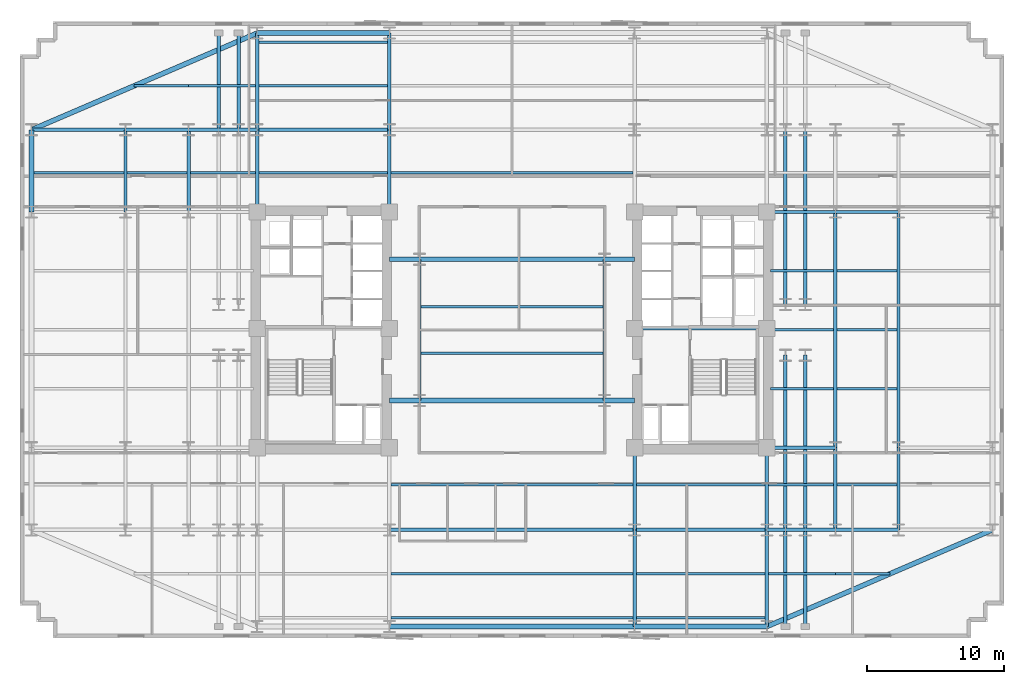
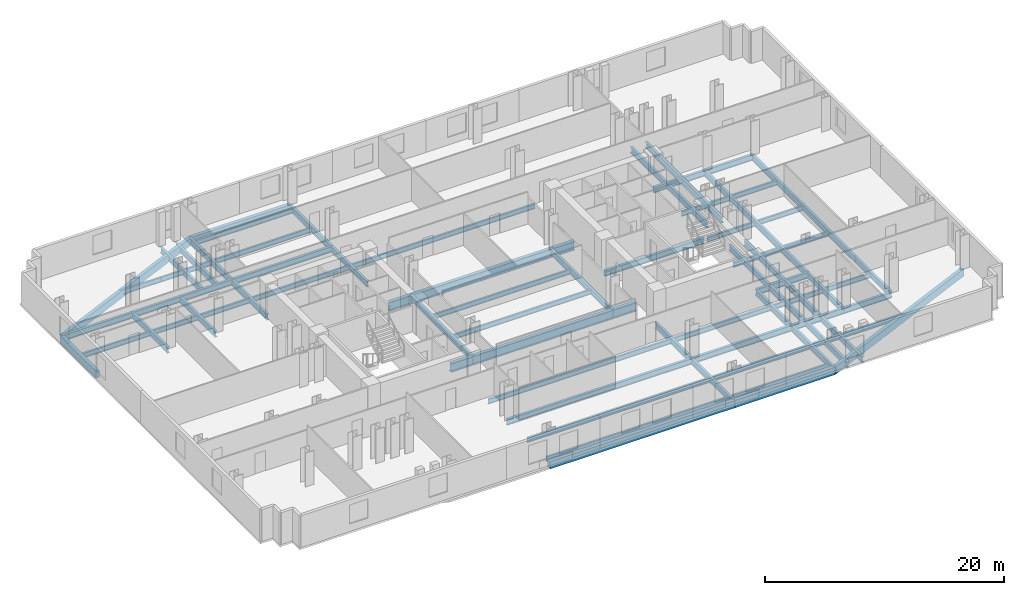
# One storey, part 2 of 10: 75 beams.
"""IFC4 building model written with IfcOpenShell, lengths in metres."""

from ifc_helpers import new_model, si_unit, direction, frame, origin, origin_2d, place, context, subcontext, project, spatial, rectangle, i_section, extrude, material, material_profile, profile_set, type_object, element, save


model = new_model("IFC4")

# Units and contexts
model_context = context("Model", 3, precision=1e-05, world=origin(), true_north=direction((0.0, 1.0)))
body_context = subcontext(model_context, "Body", "Model", "MODEL_VIEW")
ifc_project = project(units=[si_unit("LENGTHUNIT", "METRE"), si_unit("AREAUNIT", "SQUARE_METRE"), si_unit("VOLUMEUNIT", "CUBIC_METRE"), si_unit("PLANEANGLEUNIT", "RADIAN"), si_unit("MASSUNIT", "GRAM", prefix="KILO")], contexts=[model_context])

# Site, building, storey
site_placement = place(None, origin())
site = spatial("IfcSite", under=ifc_project, at=site_placement, CompositionType="ELEMENT")
building_placement = place(site_placement, origin())
building = spatial("IfcBuilding", under=site, at=building_placement, Name="Velakula Bourse", CompositionType="ELEMENT")
storey_placement = place(building_placement, frame((0.0, 0.0, 55.35009765625)))
storey = spatial("IfcBuildingStorey", under=building, at=storey_placement, Name="L14", CompositionType="ELEMENT", Elevation=55.35009765625)

# Beams
ifc_material_1 = material(Name="Steel IS 2062 Grade 350 (E350)", Category="steel")
ifc_material_profile_1 = material_profile(ifc_material_1, i_section(OverallWidth=0.25, OverallDepth=0.60009765625, WebThickness=0.01171875, FlangeThickness=0.023681640625, at=origin_2d()), Name="Steel IS 2062 Grade 350 (E350)")
ifc_profile_set_1 = profile_set([ifc_material_profile_1], Name="Steel IS 2062 Grade 350 (E350)")
beam_type_1 = type_object("IfcBeamType", Name="BM-GRD-600H", PredefinedType="BEAM", material=ifc_profile_set_1)
beam_1_placement = place(storey_placement, frame((8.949951171875, 0.10009765625, -0.47998046875), z_axis=(1.0, 0.0, 0.0), x_axis=(0.0, 1.0, 0.0)))
element("IfcBeam", 1, at=beam_1_placement, inside=storey, type_object=beam_type_1, Name="L14 Primary Backbone Girder CRE-M", PredefinedType="BEAM", context=body_context, shape_type="SweptSolid", body=[
    extrude(i_section(OverallWidth=0.25, OverallDepth=0.60009765625, WebThickness=0.01171875, FlangeThickness=0.023681640625, at=origin_2d()), origin(), (0.0, 0.0, 1.0), 9.650146484375),
])
for number, where, z_axis, x_axis, name in (
    (2, (-6.75, -5.14990234375, -0.47998046875), (0.0, 1.0, 0.0), (-1.0, 0.0, 0.0), "L14 Primary Backbone Girder SPN-W"),
    (3, (6.75, -5.14990234375, -0.47998046875), (0.0, 1.0, 0.0), (-1.0, 0.0, 0.0), "L14 Primary Backbone Girder SPN-E"),
):
    element("IfcBeam", number, at=place(storey_placement, frame(where, z_axis=z_axis, x_axis=x_axis)), inside=storey, type_object=beam_type_1, Name=name, PredefinedType="BEAM", context=body_context, shape_type="SweptSolid", body=[
        extrude(i_section(OverallWidth=0.25, OverallDepth=0.60009765625, WebThickness=0.01171875, FlangeThickness=0.023681640625, at=origin_2d()), origin(), (0.0, 0.0, 1.0), 10.2998046875),
    ])
for number, where, z_axis, x_axis, name in (
    (4, (-18.60009765625, 8.60009765625, -0.47998046875), (0.0, 1.0, 0.0), (-1.0, 0.0, 0.0), "L14 Fulcrum Grid Girder FLC-WN"),
    (5, (-8.949951171875, 8.60009765625, -0.47998046875), (0.0, 1.0, 0.0), (-1.0, 0.0, 0.0), "L14 Fulcrum Grid Girder FLC-WCN"),
    (6, (8.949951171875, -14.60009765625, -0.47998046875), (0.0, 1.0, 0.0), (-1.0, 0.0, 0.0), "L14 Fulcrum Grid Girder FLC-ECS"),
    (7, (18.60009765625, -14.60009765625, -0.47998046875), (0.0, 1.0, 0.0), (-1.0, 0.0, 0.0), "L14 Fulcrum Grid Girder FLC-ES"),
):
    element("IfcBeam", number, at=place(storey_placement, frame(where, z_axis=z_axis, x_axis=x_axis)), inside=storey, type_object=beam_type_1, Name=name, PredefinedType="BEAM", context=body_context, shape_type="SweptSolid", body=[
        extrude(i_section(OverallWidth=0.25, OverallDepth=0.60009765625, WebThickness=0.01171875, FlangeThickness=0.023681640625, at=origin_2d()), origin(), (0.0, 0.0, 1.0), 6.0),
    ])
beam_2_placement = place(storey_placement, frame((-8.949951171875, -14.60009765625, -0.47998046875), z_axis=(1.0, 0.0, 0.0), x_axis=(0.0, 1.0, 0.0)))
element("IfcBeam", 8, at=beam_2_placement, inside=storey, type_object=beam_type_1, Name="L14 Fulcrum Grid Girder FLC-S2", PredefinedType="BEAM", context=body_context, shape_type="SweptSolid", body=[
    extrude(i_section(OverallWidth=0.25, OverallDepth=0.60009765625, WebThickness=0.01171875, FlangeThickness=0.023681640625, at=origin_2d()), origin(), (0.0, 0.0, 1.0), 17.89990234375),
])
for number, where, z_axis, x_axis, name in (
    (9, (8.949951171875, -14.60009765625, -0.47998046875), (1.0, 0.0, 0.0), (0.0, 1.0, 0.0), "L14 Fulcrum Grid Girder FLC-S3"),
    (10, (-18.60009765625, 14.60009765625, -0.47998046875), (1.0, 0.0, 0.0), (0.0, 1.0, 0.0), "L14 Fulcrum Grid Girder FLC-N1"),
):
    element("IfcBeam", number, at=place(storey_placement, frame(where, z_axis=z_axis, x_axis=x_axis)), inside=storey, type_object=beam_type_1, Name=name, PredefinedType="BEAM", context=body_context, shape_type="SweptSolid", body=[
        extrude(i_section(OverallWidth=0.25, OverallDepth=0.60009765625, WebThickness=0.01171875, FlangeThickness=0.023681640625, at=origin_2d()), origin(), (0.0, 0.0, 1.0), 9.650146484375),
    ])
for number, where, z_axis, x_axis, name in (
    (11, (19.949951171875, -14.60009765625, -0.47998046875), (0.0, 1.0, 0.0), (-1.0, 0.0, 0.0), "L14 Fulcrum Grid Girder FLC-PSE1"),
    (12, (19.949951171875, 1.85009765625, -0.47998046875), (0.0, 1.0, 0.0), (-1.0, 0.0, 0.0), "L14 Fulcrum Grid Girder FLC-PNE1"),
    (13, (21.39990234375, -14.60009765625, -0.47998046875), (0.0, 1.0, 0.0), (-1.0, 0.0, 0.0), "L14 Fulcrum Grid Girder FLC-PSE2"),
    (14, (21.39990234375, 1.85009765625, -0.47998046875), (0.0, 1.0, 0.0), (-1.0, 0.0, 0.0), "L14 Fulcrum Grid Girder FLC-PNE2"),
):
    element("IfcBeam", number, at=place(storey_placement, frame(where, z_axis=z_axis, x_axis=x_axis)), inside=storey, type_object=beam_type_1, Name=name, PredefinedType="BEAM", context=body_context, shape_type="SweptSolid", body=[
        extrude(i_section(OverallWidth=0.25, OverallDepth=0.60009765625, WebThickness=0.01171875, FlangeThickness=0.023681640625, at=origin_2d()), origin(), (0.0, 0.0, 1.0), 12.75),
    ])
beam_3_placement = place(storey_placement, frame((-23.60009765625, 14.60009765625, -0.47998046875), z_axis=(1.0, 0.0, 0.0), x_axis=(0.0, 1.0, 0.0)))
element("IfcBeam", 15, at=beam_3_placement, inside=storey, type_object=beam_type_1, Name="L14 Fulcrum Grid Girder MWG-WN2", PredefinedType="BEAM", context=body_context, shape_type="SweptSolid", body=[
    extrude(i_section(OverallWidth=0.25, OverallDepth=0.60009765625, WebThickness=0.01171875, FlangeThickness=0.023681640625, at=origin_2d()), origin(), (0.0, 0.0, 1.0), 5.0),
])
beam_4_placement = place(storey_placement, frame((-23.60009765625, 8.60009765625, -0.47998046875), z_axis=(0.0, 1.0, 0.0), x_axis=(-1.0, 0.0, 0.0)))
element("IfcBeam", 16, at=beam_4_placement, inside=storey, type_object=beam_type_1, Name="L14 Fulcrum Grid Girder MWG-WNS3", PredefinedType="BEAM", context=body_context, shape_type="SweptSolid", body=[
    extrude(i_section(OverallWidth=0.25, OverallDepth=0.60009765625, WebThickness=0.01171875, FlangeThickness=0.023681640625, at=origin_2d()), origin(), (0.0, 0.0, 1.0), 6.0),
])
for number, where, z_axis, x_axis, name in (
    (17, (18.60009765625, -14.60009765625, -0.47998046875), (1.0, 0.0, 0.0), (0.0, 1.0, 0.0), "L14 Fulcrum Grid Girder MWG-ES1"),
    (18, (18.60009765625, -8.60009765625, -0.47998046875), (1.0, 0.0, 0.0), (0.0, 1.0, 0.0), "L14 Fulcrum Grid Girder MWG-ES2"),
    (19, (18.60009765625, 8.60009765625, -0.47998046875), (1.0, 0.0, 0.0), (0.0, 1.0, 0.0), "L14 Fulcrum Grid Girder MWG-EN1"),
):
    element("IfcBeam", number, at=place(storey_placement, frame(where, z_axis=z_axis, x_axis=x_axis)), inside=storey, type_object=beam_type_1, Name=name, PredefinedType="BEAM", context=body_context, shape_type="SweptSolid", body=[
        extrude(i_section(OverallWidth=0.25, OverallDepth=0.60009765625, WebThickness=0.01171875, FlangeThickness=0.023681640625, at=origin_2d()), origin(), (0.0, 0.0, 1.0), 5.0),
    ])
beam_5_placement = place(storey_placement, frame((23.60009765625, -14.60009765625, -0.47998046875), z_axis=(0.0, 1.0, 0.0), x_axis=(-1.0, 0.0, 0.0)))
element("IfcBeam", 20, at=beam_5_placement, inside=storey, type_object=beam_type_1, Name="L14 Fulcrum Grid Girder MWG-ENS1", PredefinedType="BEAM", context=body_context, shape_type="SweptSolid", body=[
    extrude(i_section(OverallWidth=0.25, OverallDepth=0.60009765625, WebThickness=0.01171875, FlangeThickness=0.023681640625, at=origin_2d()), origin(), (0.0, 0.0, 1.0), 6.0),
])
beam_6_placement = place(storey_placement, frame((23.60009765625, -8.60009765625, -0.47998046875), z_axis=(0.0, 1.0, 0.0), x_axis=(-1.0, 0.0, 0.0)))
element("IfcBeam", 21, at=beam_6_placement, inside=storey, type_object=beam_type_1, Name="L14 Fulcrum Grid Girder MWG-ENS2", PredefinedType="BEAM", context=body_context, shape_type="SweptSolid", body=[
    extrude(i_section(OverallWidth=0.25, OverallDepth=0.60009765625, WebThickness=0.01171875, FlangeThickness=0.023681640625, at=origin_2d()), origin(), (0.0, 0.0, 1.0), 17.2001953125),
])
beam_7_placement = place(storey_placement, frame((-28.199951171875, 14.60009765625, -0.47998046875), z_axis=(1.0, 0.0, 0.0), x_axis=(0.0, 1.0, 0.0)))
element("IfcBeam", 22, at=beam_7_placement, inside=storey, type_object=beam_type_1, Name="L14 Fulcrum Grid Girder WNG-WN2", PredefinedType="BEAM", context=body_context, shape_type="SweptSolid", body=[
    extrude(i_section(OverallWidth=0.25, OverallDepth=0.60009765625, WebThickness=0.01171875, FlangeThickness=0.023681640625, at=origin_2d()), origin(), (0.0, 0.0, 1.0), 4.599853515625),
])
beam_8_placement = place(storey_placement, frame((-28.199951171875, 8.60009765625, -0.47998046875), z_axis=(0.0, 1.0, 0.0), x_axis=(-1.0, 0.0, 0.0)))
element("IfcBeam", 23, at=beam_8_placement, inside=storey, type_object=beam_type_1, Name="L14 Fulcrum Grid Girder WNG-WNS3", PredefinedType="BEAM", context=body_context, shape_type="SweptSolid", body=[
    extrude(i_section(OverallWidth=0.25, OverallDepth=0.60009765625, WebThickness=0.01171875, FlangeThickness=0.023681640625, at=origin_2d()), origin(), (0.0, 0.0, 1.0), 6.0),
])
for number, where, z_axis, x_axis, name in (
    (24, (23.60009765625, -14.60009765625, -0.47998046875), (1.0, 0.0, 0.0), (0.0, 1.0, 0.0), "L14 Fulcrum Grid Girder WNG-ES1"),
    (25, (23.60009765625, 8.60009765625, -0.47998046875), (1.0, 0.0, 0.0), (0.0, 1.0, 0.0), "L14 Fulcrum Grid Girder WNG-EN1"),
):
    element("IfcBeam", number, at=place(storey_placement, frame(where, z_axis=z_axis, x_axis=x_axis)), inside=storey, type_object=beam_type_1, Name=name, PredefinedType="BEAM", context=body_context, shape_type="SweptSolid", body=[
        extrude(i_section(OverallWidth=0.25, OverallDepth=0.60009765625, WebThickness=0.01171875, FlangeThickness=0.023681640625, at=origin_2d()), origin(), (0.0, 0.0, 1.0), 4.599853515625),
    ])
beam_9_placement = place(storey_placement, frame((28.199951171875, -14.60009765625, -0.47998046875), z_axis=(0.0, 1.0, 0.0), x_axis=(-1.0, 0.0, 0.0)))
element("IfcBeam", 26, at=beam_9_placement, inside=storey, type_object=beam_type_1, Name="L14 Fulcrum Grid Girder WNG-ENS1", PredefinedType="BEAM", context=body_context, shape_type="SweptSolid", body=[
    extrude(i_section(OverallWidth=0.25, OverallDepth=0.60009765625, WebThickness=0.01171875, FlangeThickness=0.023681640625, at=origin_2d()), origin(), (0.0, 0.0, 1.0), 6.0),
])
beam_10_placement = place(storey_placement, frame((28.199951171875, -8.60009765625, -0.47998046875), z_axis=(0.0, 1.0, 0.0), x_axis=(-1.0, 0.0, 0.0)))
element("IfcBeam", 27, at=beam_10_placement, inside=storey, type_object=beam_type_1, Name="L14 Fulcrum Grid Girder WNG-ENS2", PredefinedType="BEAM", context=body_context, shape_type="SweptSolid", body=[
    extrude(i_section(OverallWidth=0.25, OverallDepth=0.60009765625, WebThickness=0.01171875, FlangeThickness=0.023681640625, at=origin_2d()), origin(), (0.0, 0.0, 1.0), 17.2001953125),
])
for number, where, z_axis, x_axis, name in (
    (28, (8.949951171875, -14.60009765625, -0.47998046875), (0.0, -1.0, 0.0), (1.0, 0.0, 0.0), "L14 Perimeter Tie Girder S3"),
    (29, (18.60009765625, -14.60009765625, -0.47998046875), (0.0, -1.0, 0.0), (1.0, 0.0, 0.0), "L14 Perimeter Tie Girder S4"),
    (30, (-18.60009765625, 14.60009765625, -0.47998046875), (0.0, 1.0, 0.0), (-1.0, 0.0, 0.0), "L14 Perimeter Tie Girder N1"),
    (31, (-8.949951171875, 14.60009765625, -0.47998046875), (0.0, 1.0, 0.0), (-1.0, 0.0, 0.0), "L14 Perimeter Tie Girder N2"),
):
    element("IfcBeam", number, at=place(storey_placement, frame(where, z_axis=z_axis, x_axis=x_axis)), inside=storey, type_object=beam_type_1, Name=name, PredefinedType="BEAM", context=body_context, shape_type="SweptSolid", body=[
        extrude(i_section(OverallWidth=0.25, OverallDepth=0.60009765625, WebThickness=0.01171875, FlangeThickness=0.023681640625, at=origin_2d()), origin(), (0.0, 0.0, 1.0), 7.0498046875),
    ])
beam_11_placement = place(storey_placement, frame((-28.199951171875, 14.60009765625, -0.47998046875), z_axis=(-1.0, 0.0, 0.0), x_axis=(0.0, -1.0, 0.0)))
element("IfcBeam", 32, at=beam_11_placement, inside=storey, type_object=beam_type_1, Name="L14 Perimeter Tie Girder W4", PredefinedType="BEAM", context=body_context, shape_type="SweptSolid", body=[
    extrude(i_section(OverallWidth=0.25, OverallDepth=0.60009765625, WebThickness=0.01171875, FlangeThickness=0.023681640625, at=origin_2d()), origin(), (0.0, 0.0, 1.0), 6.85009765625),
])
for number, where, z_axis, x_axis, name in (
    (33, (19.949951171875, -14.60009765625, -0.47998046875), (0.0, -1.0, 0.0), (1.0, 0.0, 0.0), "L14 Perimeter Tie Girder P03"),
    (34, (21.39990234375, -14.60009765625, -0.47998046875), (0.0, -1.0, 0.0), (1.0, 0.0, 0.0), "L14 Perimeter Tie Girder P04"),
    (35, (-21.39990234375, 14.60009765625, -0.47998046875), (0.0, 1.0, 0.0), (-1.0, 0.0, 0.0), "L14 Perimeter Tie Girder P05"),
    (36, (-19.949951171875, 14.60009765625, -0.47998046875), (0.0, 1.0, 0.0), (-1.0, 0.0, 0.0), "L14 Perimeter Tie Girder P06"),
):
    element("IfcBeam", number, at=place(storey_placement, frame(where, z_axis=z_axis, x_axis=x_axis)), inside=storey, type_object=beam_type_1, Name=name, PredefinedType="BEAM", context=body_context, shape_type="SweptSolid", body=[
        extrude(i_section(OverallWidth=0.25, OverallDepth=0.60009765625, WebThickness=0.01171875, FlangeThickness=0.023681640625, at=origin_2d()), origin(), (0.0, 0.0, 1.0), 7.0498046875),
    ])
ifc_material_profile_2 = material_profile(ifc_material_1, i_section(OverallWidth=0.35009765625, OverallDepth=0.89990234375, WebThickness=0.02001953125, FlangeThickness=0.031982421875, at=origin_2d()), Name="Steel IS 2062 Grade 350 (E350)")
ifc_profile_set_2 = profile_set([ifc_material_profile_2], Name="Steel IS 2062 Grade 350 (E350)")
beam_type_2 = type_object("IfcBeamType", Name="BM-LNK-900", PredefinedType="BEAM", material=ifc_profile_set_2)
beam_12_placement = place(storey_placement, frame((-8.949951171875, -5.14990234375, -0.630126953125), z_axis=(1.0, 0.0, 0.0), x_axis=(0.0, 1.0, 0.0)))
element("IfcBeam", 37, at=beam_12_placement, inside=storey, type_object=beam_type_2, Name="L14 Primary Backbone Girder LNK-S1", PredefinedType="BEAM", context=body_context, shape_type="SweptSolid", body=[
    extrude(i_section(OverallWidth=0.35009765625, OverallDepth=0.89990234375, WebThickness=0.02001953125, FlangeThickness=0.031982421875, at=origin_2d()), origin(), (0.0, 0.0, 1.0), 2.199951171875),
])
beam_13_placement = place(storey_placement, frame((-6.75, -5.14990234375, -0.630126953125), z_axis=(1.0, 0.0, 0.0), x_axis=(0.0, 1.0, 0.0)))
element("IfcBeam", 38, at=beam_13_placement, inside=storey, type_object=beam_type_2, Name="L14 Primary Backbone Girder LNK-S2", PredefinedType="BEAM", context=body_context, shape_type="SweptSolid", body=[
    extrude(i_section(OverallWidth=0.35009765625, OverallDepth=0.89990234375, WebThickness=0.02001953125, FlangeThickness=0.031982421875, at=origin_2d()), origin(), (0.0, 0.0, 1.0), 13.5),
])
for number, where, z_axis, x_axis, name in (
    (39, (6.75, -5.14990234375, -0.630126953125), (1.0, 0.0, 0.0), (0.0, 1.0, 0.0), "L14 Primary Backbone Girder LNK-S3"),
    (40, (-8.949951171875, 5.14990234375, -0.630126953125), (1.0, 0.0, 0.0), (0.0, 1.0, 0.0), "L14 Primary Backbone Girder LNK-N1"),
):
    element("IfcBeam", number, at=place(storey_placement, frame(where, z_axis=z_axis, x_axis=x_axis)), inside=storey, type_object=beam_type_2, Name=name, PredefinedType="BEAM", context=body_context, shape_type="SweptSolid", body=[
        extrude(i_section(OverallWidth=0.35009765625, OverallDepth=0.89990234375, WebThickness=0.02001953125, FlangeThickness=0.031982421875, at=origin_2d()), origin(), (0.0, 0.0, 1.0), 2.199951171875),
    ])
beam_14_placement = place(storey_placement, frame((-6.75, 5.14990234375, -0.630126953125), z_axis=(1.0, 0.0, 0.0), x_axis=(0.0, 1.0, 0.0)))
element("IfcBeam", 41, at=beam_14_placement, inside=storey, type_object=beam_type_2, Name="L14 Primary Backbone Girder LNK-N2", PredefinedType="BEAM", context=body_context, shape_type="SweptSolid", body=[
    extrude(i_section(OverallWidth=0.35009765625, OverallDepth=0.89990234375, WebThickness=0.02001953125, FlangeThickness=0.031982421875, at=origin_2d()), origin(), (0.0, 0.0, 1.0), 13.5),
])
beam_15_placement = place(storey_placement, frame((6.75, 5.14990234375, -0.630126953125), z_axis=(1.0, 0.0, 0.0), x_axis=(0.0, 1.0, 0.0)))
element("IfcBeam", 42, at=beam_15_placement, inside=storey, type_object=beam_type_2, Name="L14 Primary Backbone Girder LNK-N3", PredefinedType="BEAM", context=body_context, shape_type="SweptSolid", body=[
    extrude(i_section(OverallWidth=0.35009765625, OverallDepth=0.89990234375, WebThickness=0.02001953125, FlangeThickness=0.031982421875, at=origin_2d()), origin(), (0.0, 0.0, 1.0), 2.199951171875),
])
ifc_material_profile_3 = material_profile(ifc_material_1, i_section(OverallWidth=0.179931640625, OverallDepth=0.5, WebThickness=0.01025390625, FlangeThickness=0.01708984375, at=origin_2d()), Name="Steel IS 2062 Grade 350 (E350)")
ifc_profile_set_3 = profile_set([ifc_material_profile_3], Name="Steel IS 2062 Grade 350 (E350)")
beam_type_3 = type_object("IfcBeamType", Name="JST-TWR-500", PredefinedType="JOIST", material=ifc_profile_set_3)
beam_16_placement = place(storey_placement, frame((-8.824951171875, -21.0, -0.43017578125), z_axis=(1.0, 0.0, 0.0), x_axis=(0.0, 1.0, 0.0)))
element("IfcBeam", 43, at=beam_16_placement, inside=storey, type_object=beam_type_3, Name="L14 Trading Floor Composite Joist 02", PredefinedType="JOIST", context=body_context, shape_type="SweptSolid", body=[
    extrude(i_section(OverallWidth=0.179931640625, OverallDepth=0.5, WebThickness=0.01025390625, FlangeThickness=0.01708984375, at=origin_2d()), origin(), (0.0, 0.0, 1.0), 17.64990234375),
])
beam_17_placement = place(storey_placement, frame((9.074951171875, -21.0, -0.43017578125), z_axis=(1.0, 0.0, 0.0), x_axis=(0.0, 1.0, 0.0)))
element("IfcBeam", 44, at=beam_17_placement, inside=storey, type_object=beam_type_3, Name="L14 Trading Floor Composite Joist 03", PredefinedType="JOIST", context=body_context, shape_type="SweptSolid", body=[
    extrude(i_section(OverallWidth=0.179931640625, OverallDepth=0.5, WebThickness=0.01025390625, FlangeThickness=0.01708984375, at=origin_2d()), origin(), (0.0, 0.0, 1.0), 9.400146484375),
])
beam_18_placement = place(storey_placement, frame((-8.824951171875, -17.800048828125, -0.43017578125), z_axis=(1.0, 0.0, 0.0), x_axis=(0.0, 1.0, 0.0)))
element("IfcBeam", 45, at=beam_18_placement, inside=storey, type_object=beam_type_3, Name="L14 Trading Floor Composite Joist 07", PredefinedType="JOIST", context=body_context, shape_type="SweptSolid", body=[
    extrude(i_section(OverallWidth=0.179931640625, OverallDepth=0.5, WebThickness=0.01025390625, FlangeThickness=0.01708984375, at=origin_2d()), origin(), (0.0, 0.0, 1.0), 17.64990234375),
])
beam_19_placement = place(storey_placement, frame((9.074951171875, -17.800048828125, -0.43017578125), z_axis=(1.0, 0.0, 0.0), x_axis=(0.0, 1.0, 0.0)))
element("IfcBeam", 46, at=beam_19_placement, inside=storey, type_object=beam_type_3, Name="L14 Trading Floor Composite Joist 08", PredefinedType="JOIST", context=body_context, shape_type="SweptSolid", body=[
    extrude(i_section(OverallWidth=0.179931640625, OverallDepth=0.5, WebThickness=0.01025390625, FlangeThickness=0.01708984375, at=origin_2d()), origin(), (0.0, 0.0, 1.0), 9.400146484375),
])
beam_20_placement = place(storey_placement, frame((18.72509765625, -17.800048828125, -0.43017578125), z_axis=(1.0, 0.0, 0.0), x_axis=(0.0, 1.0, 0.0)))
element("IfcBeam", 47, at=beam_20_placement, inside=storey, type_object=beam_type_3, Name="L14 Trading Floor Composite Joist 09", PredefinedType="JOIST", context=body_context, shape_type="SweptSolid", body=[
    extrude(i_section(OverallWidth=0.179931640625, OverallDepth=0.5, WebThickness=0.01025390625, FlangeThickness=0.01708984375, at=origin_2d()), origin(), (0.0, 0.0, 1.0), 4.875),
])
beam_21_placement = place(storey_placement, frame((23.60009765625, -17.800048828125, -0.43017578125), z_axis=(1.0, 0.0, 0.0), x_axis=(0.0, 1.0, 0.0)))
element("IfcBeam", 48, at=beam_21_placement, inside=storey, type_object=beam_type_3, Name="L14 Trading Floor Composite Joist 10", PredefinedType="JOIST", context=body_context, shape_type="SweptSolid", body=[
    extrude(i_section(OverallWidth=0.179931640625, OverallDepth=0.5, WebThickness=0.01025390625, FlangeThickness=0.01708984375, at=origin_2d()), origin(), (0.0, 0.0, 1.0), 3.983154296875),
])
beam_22_placement = place(storey_placement, frame((-8.824951171875, -11.300048828125, -0.43017578125), z_axis=(1.0, 0.0, 0.0), x_axis=(0.0, 1.0, 0.0)))
element("IfcBeam", 49, at=beam_22_placement, inside=storey, type_object=beam_type_3, Name="L14 Trading Floor Composite Joist 15", PredefinedType="JOIST", context=body_context, shape_type="SweptSolid", body=[
    extrude(i_section(OverallWidth=0.179931640625, OverallDepth=0.5, WebThickness=0.01025390625, FlangeThickness=0.01708984375, at=origin_2d()), origin(), (0.0, 0.0, 1.0), 17.64990234375),
])
beam_23_placement = place(storey_placement, frame((9.074951171875, -11.300048828125, -0.43017578125), z_axis=(1.0, 0.0, 0.0), x_axis=(0.0, 1.0, 0.0)))
element("IfcBeam", 50, at=beam_23_placement, inside=storey, type_object=beam_type_3, Name="L14 Trading Floor Composite Joist 16", PredefinedType="JOIST", context=body_context, shape_type="SweptSolid", body=[
    extrude(i_section(OverallWidth=0.179931640625, OverallDepth=0.5, WebThickness=0.01025390625, FlangeThickness=0.01708984375, at=origin_2d()), origin(), (0.0, 0.0, 1.0), 9.400146484375),
])
beam_24_placement = place(storey_placement, frame((18.72509765625, -11.300048828125, -0.43017578125), z_axis=(1.0, 0.0, 0.0), x_axis=(0.0, 1.0, 0.0)))
element("IfcBeam", 51, at=beam_24_placement, inside=storey, type_object=beam_type_3, Name="L14 Trading Floor Composite Joist 17", PredefinedType="JOIST", context=body_context, shape_type="SweptSolid", body=[
    extrude(i_section(OverallWidth=0.179931640625, OverallDepth=0.5, WebThickness=0.01025390625, FlangeThickness=0.01708984375, at=origin_2d()), origin(), (0.0, 0.0, 1.0), 4.75),
])
beam_25_placement = place(storey_placement, frame((23.72509765625, -11.300048828125, -0.43017578125), z_axis=(1.0, 0.0, 0.0), x_axis=(0.0, 1.0, 0.0)))
element("IfcBeam", 52, at=beam_25_placement, inside=storey, type_object=beam_type_3, Name="L14 Trading Floor Composite Joist 18", PredefinedType="JOIST", context=body_context, shape_type="SweptSolid", body=[
    extrude(i_section(OverallWidth=0.179931640625, OverallDepth=0.5, WebThickness=0.01025390625, FlangeThickness=0.01708984375, at=origin_2d()), origin(), (0.0, 0.0, 1.0), 4.349853515625),
])
beam_26_placement = place(storey_placement, frame((-34.875, 11.449951171875, -0.43017578125), z_axis=(1.0, 0.0, 0.0), x_axis=(0.0, 1.0, 0.0)))
element("IfcBeam", 53, at=beam_26_placement, inside=storey, type_object=beam_type_3, Name="L14 Trading Floor Composite Joist 20", PredefinedType="JOIST", context=body_context, shape_type="SweptSolid", body=[
    extrude(i_section(OverallWidth=0.179931640625, OverallDepth=0.5, WebThickness=0.01025390625, FlangeThickness=0.01708984375, at=origin_2d()), origin(), (0.0, 0.0, 1.0), 6.550048828125),
])
beam_27_placement = place(storey_placement, frame((-28.074951171875, 11.449951171875, -0.43017578125), z_axis=(1.0, 0.0, 0.0), x_axis=(0.0, 1.0, 0.0)))
element("IfcBeam", 54, at=beam_27_placement, inside=storey, type_object=beam_type_3, Name="L14 Trading Floor Composite Joist 21", PredefinedType="JOIST", context=body_context, shape_type="SweptSolid", body=[
    extrude(i_section(OverallWidth=0.179931640625, OverallDepth=0.5, WebThickness=0.01025390625, FlangeThickness=0.01708984375, at=origin_2d()), origin(), (0.0, 0.0, 1.0), 4.349853515625),
])
beam_28_placement = place(storey_placement, frame((-23.47509765625, 11.449951171875, -0.43017578125), z_axis=(1.0, 0.0, 0.0), x_axis=(0.0, 1.0, 0.0)))
element("IfcBeam", 55, at=beam_28_placement, inside=storey, type_object=beam_type_3, Name="L14 Trading Floor Composite Joist 22", PredefinedType="JOIST", context=body_context, shape_type="SweptSolid", body=[
    extrude(i_section(OverallWidth=0.179931640625, OverallDepth=0.5, WebThickness=0.01025390625, FlangeThickness=0.01708984375, at=origin_2d()), origin(), (0.0, 0.0, 1.0), 4.75),
])
beam_29_placement = place(storey_placement, frame((-18.47509765625, 11.449951171875, -0.43017578125), z_axis=(1.0, 0.0, 0.0), x_axis=(0.0, 1.0, 0.0)))
element("IfcBeam", 56, at=beam_29_placement, inside=storey, type_object=beam_type_3, Name="L14 Trading Floor Composite Joist 23", PredefinedType="JOIST", context=body_context, shape_type="SweptSolid", body=[
    extrude(i_section(OverallWidth=0.179931640625, OverallDepth=0.5, WebThickness=0.01025390625, FlangeThickness=0.01708984375, at=origin_2d()), origin(), (0.0, 0.0, 1.0), 9.400146484375),
])
beam_30_placement = place(storey_placement, frame((-8.824951171875, 11.449951171875, -0.43017578125), z_axis=(1.0, 0.0, 0.0), x_axis=(0.0, 1.0, 0.0)))
element("IfcBeam", 57, at=beam_30_placement, inside=storey, type_object=beam_type_3, Name="L14 Trading Floor Composite Joist 24", PredefinedType="JOIST", context=body_context, shape_type="SweptSolid", body=[
    extrude(i_section(OverallWidth=0.179931640625, OverallDepth=0.5, WebThickness=0.01025390625, FlangeThickness=0.01708984375, at=origin_2d()), origin(), (0.0, 0.0, 1.0), 17.64990234375),
])
beam_31_placement = place(storey_placement, frame((-27.583251953125, 17.800048828125, -0.43017578125), z_axis=(1.0, 0.0, 0.0), x_axis=(0.0, 1.0, 0.0)))
element("IfcBeam", 58, at=beam_31_placement, inside=storey, type_object=beam_type_3, Name="L14 Trading Floor Composite Joist 29", PredefinedType="JOIST", context=body_context, shape_type="SweptSolid", body=[
    extrude(i_section(OverallWidth=0.179931640625, OverallDepth=0.5, WebThickness=0.01025390625, FlangeThickness=0.01708984375, at=origin_2d()), origin(), (0.0, 0.0, 1.0), 3.983154296875),
])
beam_32_placement = place(storey_placement, frame((-23.60009765625, 17.800048828125, -0.43017578125), z_axis=(1.0, 0.0, 0.0), x_axis=(0.0, 1.0, 0.0)))
element("IfcBeam", 59, at=beam_32_placement, inside=storey, type_object=beam_type_3, Name="L14 Trading Floor Composite Joist 30", PredefinedType="JOIST", context=body_context, shape_type="SweptSolid", body=[
    extrude(i_section(OverallWidth=0.179931640625, OverallDepth=0.5, WebThickness=0.01025390625, FlangeThickness=0.01708984375, at=origin_2d()), origin(), (0.0, 0.0, 1.0), 4.875),
])
for number, where, z_axis, x_axis, name in (
    (60, (-18.47509765625, 17.800048828125, -0.43017578125), (1.0, 0.0, 0.0), (0.0, 1.0, 0.0), "L14 Trading Floor Composite Joist 31"),
    (61, (-18.47509765625, 21.0, -0.43017578125), (1.0, 0.0, 0.0), (0.0, 1.0, 0.0), "L14 Trading Floor Composite Joist 36"),
):
    element("IfcBeam", number, at=place(storey_placement, frame(where, z_axis=z_axis, x_axis=x_axis)), inside=storey, type_object=beam_type_3, Name=name, PredefinedType="JOIST", context=body_context, shape_type="SweptSolid", body=[
        extrude(i_section(OverallWidth=0.179931640625, OverallDepth=0.5, WebThickness=0.01025390625, FlangeThickness=0.01708984375, at=origin_2d()), origin(), (0.0, 0.0, 1.0), 9.400146484375),
    ])
for number, where, z_axis, x_axis, name in (
    (62, (-6.625, -1.699951171875, -0.43017578125), (1.0, 0.0, 0.0), (0.0, 1.0, 0.0), "L14 Trading Floor Composite Joist 39"),
    (63, (-6.625, 1.699951171875, -0.43017578125), (1.0, 0.0, 0.0), (0.0, 1.0, 0.0), "L14 Trading Floor Composite Joist 40"),
):
    element("IfcBeam", number, at=place(storey_placement, frame(where, z_axis=z_axis, x_axis=x_axis)), inside=storey, type_object=beam_type_3, Name=name, PredefinedType="JOIST", context=body_context, shape_type="SweptSolid", body=[
        extrude(i_section(OverallWidth=0.179931640625, OverallDepth=0.5, WebThickness=0.01025390625, FlangeThickness=0.01708984375, at=origin_2d()), origin(), (0.0, 0.0, 1.0), 13.25),
    ])
beam_33_placement = place(storey_placement, frame((18.85009765625, -4.300048828125, -0.43017578125), z_axis=(1.0, 0.0, 0.0), x_axis=(0.0, 1.0, 0.0)))
element("IfcBeam", 64, at=beam_33_placement, inside=storey, type_object=beam_type_3, Name="L14 Trading Floor Composite Joist 44", PredefinedType="JOIST", context=body_context, shape_type="SweptSolid", body=[
    extrude(i_section(OverallWidth=0.179931640625, OverallDepth=0.5, WebThickness=0.01025390625, FlangeThickness=0.01708984375, at=origin_2d()), origin(), (0.0, 0.0, 1.0), 4.625),
])
beam_34_placement = place(storey_placement, frame((23.72509765625, -4.300048828125, -0.43017578125), z_axis=(1.0, 0.0, 0.0), x_axis=(0.0, 1.0, 0.0)))
element("IfcBeam", 65, at=beam_34_placement, inside=storey, type_object=beam_type_3, Name="L14 Trading Floor Composite Joist 45", PredefinedType="JOIST", context=body_context, shape_type="SweptSolid", body=[
    extrude(i_section(OverallWidth=0.179931640625, OverallDepth=0.5, WebThickness=0.01025390625, FlangeThickness=0.01708984375, at=origin_2d()), origin(), (0.0, 0.0, 1.0), 4.349853515625),
])
beam_35_placement = place(storey_placement, frame((18.85009765625, 0.0, -0.43017578125), z_axis=(1.0, 0.0, 0.0), x_axis=(0.0, 1.0, 0.0)))
element("IfcBeam", 66, at=beam_35_placement, inside=storey, type_object=beam_type_3, Name="L14 Trading Floor Composite Joist 50", PredefinedType="JOIST", context=body_context, shape_type="SweptSolid", body=[
    extrude(i_section(OverallWidth=0.179931640625, OverallDepth=0.5, WebThickness=0.01025390625, FlangeThickness=0.01708984375, at=origin_2d()), origin(), (0.0, 0.0, 1.0), 4.625),
])
beam_36_placement = place(storey_placement, frame((23.72509765625, 0.0, -0.43017578125), z_axis=(1.0, 0.0, 0.0), x_axis=(0.0, 1.0, 0.0)))
element("IfcBeam", 67, at=beam_36_placement, inside=storey, type_object=beam_type_3, Name="L14 Trading Floor Composite Joist 51", PredefinedType="JOIST", context=body_context, shape_type="SweptSolid", body=[
    extrude(i_section(OverallWidth=0.179931640625, OverallDepth=0.5, WebThickness=0.01025390625, FlangeThickness=0.01708984375, at=origin_2d()), origin(), (0.0, 0.0, 1.0), 4.349853515625),
])
beam_37_placement = place(storey_placement, frame((18.85009765625, 4.300048828125, -0.43017578125), z_axis=(1.0, 0.0, 0.0), x_axis=(0.0, 1.0, 0.0)))
element("IfcBeam", 68, at=beam_37_placement, inside=storey, type_object=beam_type_3, Name="L14 Trading Floor Composite Joist 56", PredefinedType="JOIST", context=body_context, shape_type="SweptSolid", body=[
    extrude(i_section(OverallWidth=0.179931640625, OverallDepth=0.5, WebThickness=0.01025390625, FlangeThickness=0.01708984375, at=origin_2d()), origin(), (0.0, 0.0, 1.0), 4.625),
])
beam_38_placement = place(storey_placement, frame((23.72509765625, 4.300048828125, -0.43017578125), z_axis=(1.0, 0.0, 0.0), x_axis=(0.0, 1.0, 0.0)))
element("IfcBeam", 69, at=beam_38_placement, inside=storey, type_object=beam_type_3, Name="L14 Trading Floor Composite Joist 57", PredefinedType="JOIST", context=body_context, shape_type="SweptSolid", body=[
    extrude(i_section(OverallWidth=0.179931640625, OverallDepth=0.5, WebThickness=0.01025390625, FlangeThickness=0.01708984375, at=origin_2d()), origin(), (0.0, 0.0, 1.0), 4.349853515625),
])
ifc_material_2 = material(Name="Precast concrete M45 (fck 45 MPa)", Category="concrete")
ifc_material_profile_4 = material_profile(ifc_material_2, rectangle(XDim=0.35009765625, YDim=0.75, at=origin_2d()), Name="Precast concrete M45 (fck 45 MPa)")
ifc_profile_set_4 = profile_set([ifc_material_profile_4], Name="Precast concrete M45 (fck 45 MPa)")
beam_type_4 = type_object("IfcBeamType", Name="SPN-BRICK-750", PredefinedType="SPANDREL", material=ifc_profile_set_4)
beam_39_placement = place(storey_placement, frame((-8.949951171875, -21.64990234375, -0.55517578125), z_axis=(1.0, 0.0, 0.0), x_axis=(0.0, 1.0, 0.0)))
element("IfcBeam", 70, at=beam_39_placement, inside=storey, type_object=beam_type_4, Name="L14 Brick-Faced Precast Spandrel S2-S3", PredefinedType="SPANDREL", context=body_context, shape_type="SweptSolid", body=[
    extrude(rectangle(XDim=0.35009765625, YDim=0.75, at=origin_2d()), origin(), (0.0, 0.0, 1.0), 17.89990234375),
])
for number, where, z_axis, x_axis, name in (
    (71, (8.949951171875, -21.64990234375, -0.55517578125), (1.0, 0.0, 0.0), (0.0, 1.0, 0.0), "L14 Brick-Faced Precast Spandrel S3-S4"),
    (72, (-18.60009765625, 21.64990234375, -0.55517578125), (1.0, 0.0, 0.0), (0.0, 1.0, 0.0), "L14 Brick-Faced Precast Spandrel N1-N2"),
):
    element("IfcBeam", number, at=place(storey_placement, frame(where, z_axis=z_axis, x_axis=x_axis)), inside=storey, type_object=beam_type_4, Name=name, PredefinedType="SPANDREL", context=body_context, shape_type="SweptSolid", body=[
        extrude(rectangle(XDim=0.35009765625, YDim=0.75, at=origin_2d()), origin(), (0.0, 0.0, 1.0), 9.650146484375),
    ])
beam_40_placement = place(storey_placement, frame((-35.050048828125, 8.60009765625, -0.55517578125), z_axis=(0.0, 1.0, 0.0), x_axis=(-1.0, 0.0, 0.0)))
element("IfcBeam", 73, at=beam_40_placement, inside=storey, type_object=beam_type_4, Name="L14 Brick-Faced Precast Spandrel W3-W4", PredefinedType="SPANDREL", context=body_context, shape_type="SweptSolid", body=[
    extrude(rectangle(XDim=0.35009765625, YDim=0.75, at=origin_2d()), origin(), (0.0, 0.0, 1.0), 6.0),
])
for number, where, z_axis, x_axis, name in (
    (74, (18.60009765625, -21.64990234375, -0.55517578125), (0.919148557947, 0.393911066642, 0.0), (-0.393911066642, 0.919148557947, 0.0), "L14 Brick-Faced Precast Spandrel S4-E1"),
    (75, (-18.60009765625, 21.64990234375, -0.55517578125), (-0.919148557947, -0.393911066642, 0.0), (0.393911066642, -0.919148557947, 0.0), "L14 Brick-Faced Precast Spandrel N1-W4"),
):
    element("IfcBeam", number, at=place(storey_placement, frame(where, z_axis=z_axis, x_axis=x_axis)), inside=storey, type_object=beam_type_4, Name=name, PredefinedType="SPANDREL", context=body_context, shape_type="SweptSolid", body=[
        extrude(rectangle(XDim=0.35009765625, YDim=0.75, at=origin_2d()), origin(), (0.0, 0.0, 1.0), 17.89697265625),
    ])

save(model, "model.ifc")
